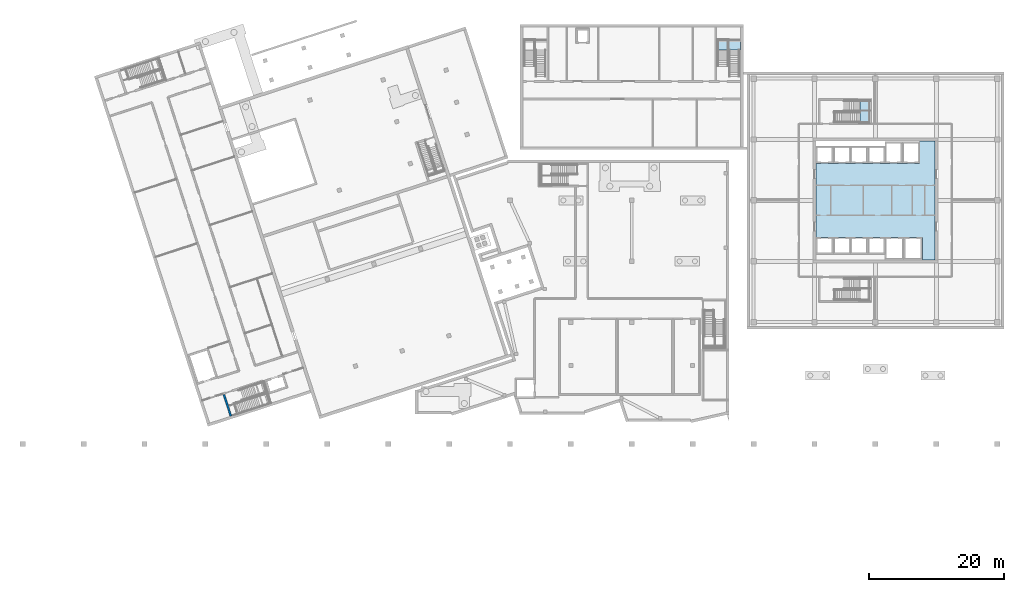
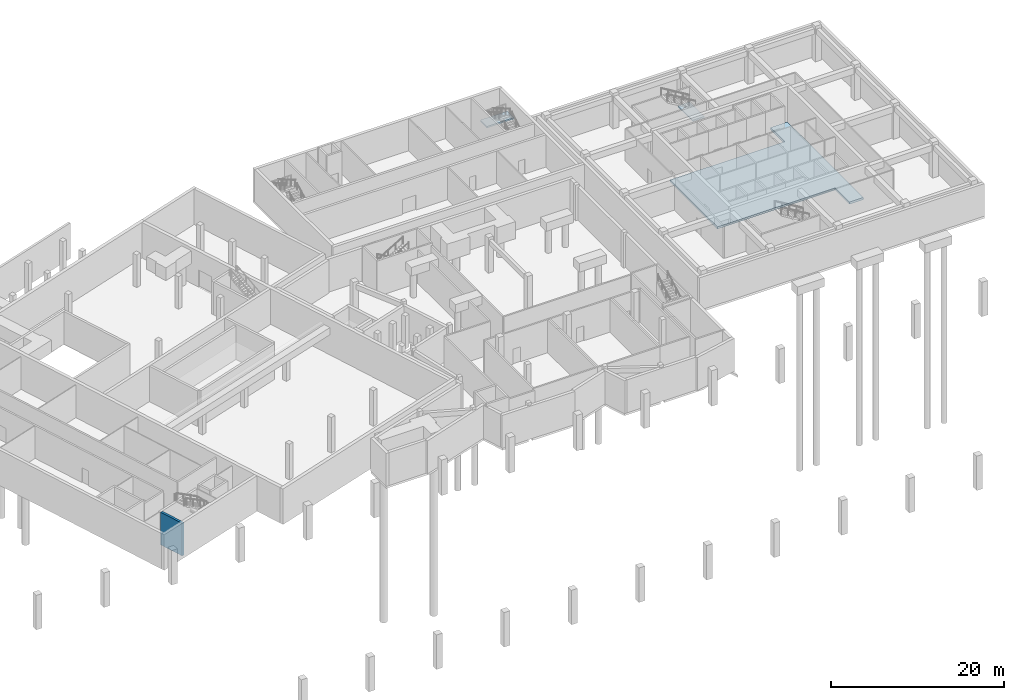
# One storey, part 3 of 15: 3 slabs, 1 wall, 2 elements without a shape of their own.
"""IFC4 building model written with IfcOpenShell, lengths in metres."""

from ifc_helpers import new_model, si_unit, direction, frame, frame_2d, origin, place, context, subcontext, project, spatial, polyline, rectangle, outline, extrude, material, layer, layer_set, type_object, element, aggregate, save


model = new_model("IFC4")

# Units and contexts
model_context = context("Model", 3, precision=1e-05, world=origin(), true_north=direction((0.0, 1.0)))
body_context = subcontext(model_context, "Body", "Model", "MODEL_VIEW")
ifc_project = project(units=[si_unit("LENGTHUNIT", "METRE"), si_unit("AREAUNIT", "SQUARE_METRE"), si_unit("VOLUMEUNIT", "CUBIC_METRE"), si_unit("PLANEANGLEUNIT", "RADIAN"), si_unit("MASSUNIT", "GRAM", prefix="KILO")], contexts=[model_context])

# Site, building, storey
site_placement = place(None, origin())
site = spatial("IfcSite", under=ifc_project, at=site_placement, CompositionType="ELEMENT")
building_placement = place(site_placement, origin())
building = spatial("IfcBuilding", under=site, at=building_placement, Name="Tuart Plaza Theatre", CompositionType="ELEMENT")
storey_placement = place(building_placement, frame((0.0, 0.0, -5.0)))
storey = spatial("IfcBuildingStorey", under=building, at=storey_placement, Name="B1", CompositionType="ELEMENT", Elevation=-5.0)

# Slab
ifc_material_1 = material(Name="Concrete N40 (40 MPa)", Category="concrete")
ifc_layer_1 = layer(ifc_material_1, 0.300048828125)
ifc_layer_set_1 = layer_set([ifc_layer_1], Name="SLAB Floor 300 Concrete N40 (40 MPa)")
slab_type_1 = type_object("IfcSlabType", Name="SLAB Floor 300 Concrete N40 (40 MPa)", PredefinedType="FLOOR", material=ifc_layer_set_1)
slab_1_placement = place(storey_placement, frame((0.0, 0.0, -0.300048828125)))
element("IfcSlab", 1, at=slab_1_placement, inside=storey, type_object=slab_type_1, Name="S77", PredefinedType="FLOOR", context=body_context, shape_type="SweptSolid", body=[
    extrude(outline(polyline([(138.925048828125, 68.52490234375), (138.925048828125, 65.22509765625), (140.77490234375, 65.22509765625), (140.77490234375, 82.77490234375), (138.52490234375, 82.77490234375), (138.52490234375, 79.47509765625), (123.22509765625, 79.47509765625), (123.22509765625, 68.52490234375), (138.925048828125, 68.52490234375)])), origin(), (0.0, 0.0, 1.0), 0.300048828125),
])

# Stair, slab
ifc_material_2 = material(Name="Concrete N40 (40 MPa)", Category="concrete")
stair_type = type_object("IfcStairType", Name="STAIR half turn 1500", PredefinedType="HALF_TURN_STAIR", material=ifc_material_2)
stair_1_placement = place(storey_placement, origin())
stair_1 = element("IfcStair", 2, at=stair_1_placement, inside=storey, type_object=stair_type, Name="SC-22", PredefinedType="HALF_TURN_STAIR")
ifc_material_3 = material(Name="Concrete N40 (40 MPa)", Category="concrete")
ifc_layer_2 = layer(ifc_material_3, 0.199951171875)
ifc_layer_set_2 = layer_set([ifc_layer_2], Name="STAIR LANDING 200")
slab_type_2 = type_object("IfcSlabType", Name="STAIR LANDING 200", PredefinedType="LANDING", material=ifc_layer_set_2)
slab_2_placement = place(storey_placement, frame((0.0, 0.0, 2.300048828125)))
slab_2 = element("IfcSlab", 3, at=slab_2_placement, type_object=slab_type_2, Name="SC-22 landing 1", PredefinedType="LANDING", context=body_context, shape_type="SweptSolid", body=[
    extrude(outline(polyline([(129.699951171875, 85.427001953125), (131.22998046875, 85.427001953125), (131.22998046875, 88.822998046875), (129.699951171875, 88.822998046875), (129.699951171875, 85.427001953125)])), origin(), (0.0, 0.0, 1.0), 0.199951171875),
])
aggregate(stair_1, [slab_2])

stair_2_placement = place(storey_placement, origin())
stair_2 = element("IfcStair", 4, at=stair_2_placement, inside=storey, type_object=stair_type, Name="SD-2", PredefinedType="HALF_TURN_STAIR")
slab_3_placement = place(storey_placement, frame((0.0, 0.0, 2.300048828125)))
slab_3 = element("IfcSlab", 5, at=slab_3_placement, type_object=slab_type_2, Name="SD-2 landing 1", PredefinedType="LANDING", context=body_context, shape_type="SweptSolid", body=[
    extrude(outline(polyline([(112.097900390625, 96.199951171875), (112.097900390625, 97.72998046875), (108.501953125, 97.72998046875), (108.501953125, 96.199951171875), (112.097900390625, 96.199951171875)])), origin(), (0.0, 0.0, 1.0), 0.199951171875),
])
aggregate(stair_2, [slab_3])

# Wall
ifc_material_4 = material(Name="Concrete N40 (40 MPa)", Category="concrete")
ifc_layer_3 = layer(ifc_material_4, 0.300048828125)
ifc_layer_set_3 = layer_set([ifc_layer_3], Name="WALL RC300 LB FRL 120/120/120")
wall_type = type_object("IfcWallType", Name="WALL RC300 LB FRL 120/120/120", PredefinedType="SOLIDWALL", material=ifc_layer_set_3)
wall_placement = place(storey_placement, frame((35.731201171875, 45.30224609375, 0.0), z_axis=(0.0, 0.0, 1.0), x_axis=(0.309003676349, -0.951060843481, 0.0)))
element("IfcWall", 6, at=wall_placement, inside=storey, type_object=wall_type, Name="W100", PredefinedType="SOLIDWALL", context=body_context, shape_type="SweptSolid", body=[
    extrude(rectangle(XDim=3.35009765625, YDim=0.300048828125, at=frame_2d((1.675048828125, 0.0))), origin(), (0.0, 0.0, 1.0), 4.60009765625),
])

save(model, "model.ifc")
